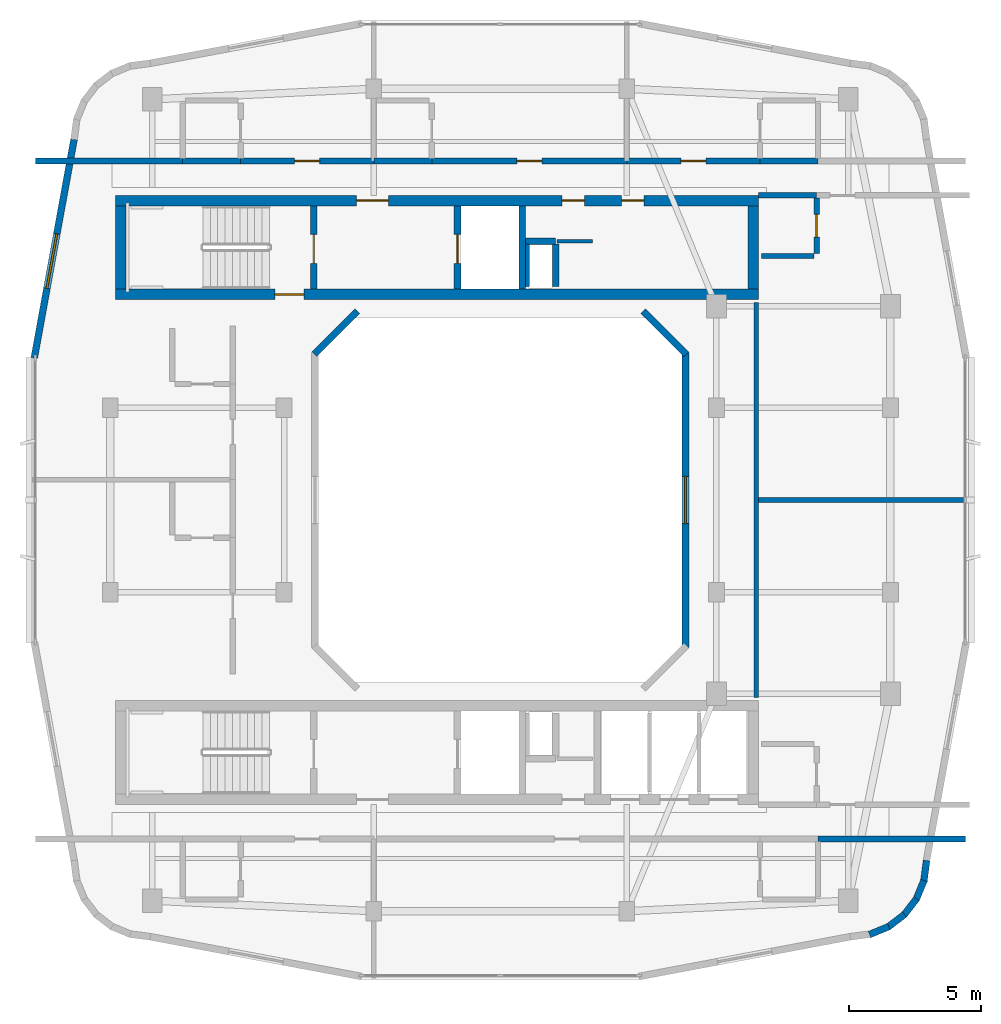
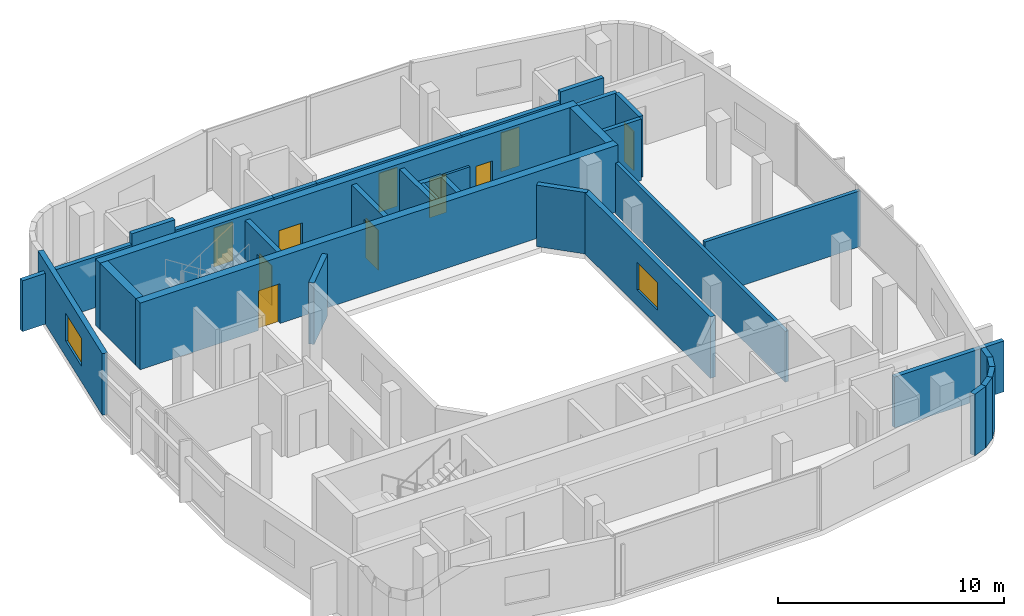
# One storey, part 6 of 10: 33 walls, 10 doors, 2 windows, 12 openings.
"""IFC4 building model written with IfcOpenShell, lengths in metres."""

import ifcopenshell
import ifcopenshell.guid

model = None  # the IFC model being written
_history = None  # IfcOwnerHistory: only IFC2X3 demands one
_inside = {}  # id of a spatial element -> (the spatial element, [elements in it])
_under = {}  # id of a project, library or spatial element -> (it, [spatial elements below it])
_declared = {}  # id of a project -> (the project, [libraries it declares])
_typed = {}  # id of a type object -> (the type object, [elements of that type])
_made_of = {}  # id of a material, layer set ... -> (it, [elements and type objects made of it])


def new_model(schema):
    """Start an empty IFC model of exactly this schema.

    Asked for "IFC4X3", IfcOpenShell would pick the latest addendum, in which some entities
    have other attributes; the version numbers below select the first issue.
    IFC2X3 requires an IfcOwnerHistory on every rooted entity: one is made here for all.
    """
    global model, _history
    if schema == "IFC4X3":
        model = ifcopenshell.file(schema_version=(4, 3, 0, 0))
    else:
        model = ifcopenshell.file(schema=schema)
    _inside.clear()
    _under.clear()
    _declared.clear()
    _typed.clear()
    _made_of.clear()
    _history = None
    if model.schema == "IFC2X3":
        org = make("IfcOrganization", Name="unknown")
        user = make(
            "IfcPersonAndOrganization",
            ThePerson=make("IfcPerson", FamilyName="unknown"),
            TheOrganization=org,
        )
        app = make(
            "IfcApplication",
            ApplicationDeveloper=org,
            Version="unknown",
            ApplicationFullName="unknown",
            ApplicationIdentifier="unknown",
        )
        _history = make(
            "IfcOwnerHistory",
            OwningUser=user,
            OwningApplication=app,
            ChangeAction="ADDED",
            CreationDate=0,
        )
    return model


def make(cls, **values):
    """One entity of the class cls with the attributes given. An attribute that is None is left unset."""
    return model.create_entity(
        cls, **{name: value for name, value in values.items() if value is not None}
    )


def rooted(cls, **values):
    """An entity with a GlobalId (a new one), such as an element, a storey or a relation."""
    return make(cls, GlobalId=ifcopenshell.guid.new(), OwnerHistory=_history, **values)


def si_unit(unit_type, name, prefix=None):
    """IfcSIUnit, for example si_unit("LENGTHUNIT", "METRE", prefix="MILLI")."""
    return make("IfcSIUnit", UnitType=unit_type, Prefix=prefix, Name=name)


def derived_unit(unit_type, elements):
    """IfcDerivedUnit: a product of units, each with its exponent."""
    return make(
        "IfcDerivedUnit",
        Elements=[
            make("IfcDerivedUnitElement", Unit=unit, Exponent=power)
            for unit, power in elements
        ],
        UnitType=unit_type,
    )


def assignment(units):
    """IfcUnitAssignment: the units of a project."""
    return None if units is None else make("IfcUnitAssignment", Units=units)


def point(xyz):
    """IfcCartesianPoint."""
    return None if xyz is None else make("IfcCartesianPoint", Coordinates=xyz)


def direction(xyz):
    """IfcDirection."""
    return None if xyz is None else make("IfcDirection", DirectionRatios=xyz)


def frame(location, z_axis=None, x_axis=None):
    """IfcAxis2Placement3D, a coordinate frame: its origin and axes. An axis left out is left unset."""
    return make(
        "IfcAxis2Placement3D",
        Location=point(location),
        Axis=direction(z_axis),
        RefDirection=direction(x_axis),
    )


def frame_2d(location, x_axis=None):
    """IfcAxis2Placement2D, a coordinate frame in the plane: its origin and x axis."""
    return make(
        "IfcAxis2Placement2D", Location=point(location), RefDirection=direction(x_axis)
    )


def origin():
    """The frame at (0, 0, 0) with its axes left unset."""
    return frame((0.0, 0.0, 0.0))


def place(relative_to, where):
    """IfcLocalPlacement: puts the frame where relative to a parent placement (None: the world)."""
    return make(
        "IfcLocalPlacement", PlacementRelTo=relative_to, RelativePlacement=where
    )


def context(
    kind, dimensions, precision=None, world=None, true_north=None, identifier=None
):
    """IfcGeometricRepresentationContext, for example the 3D "Model" context."""
    return make(
        "IfcGeometricRepresentationContext",
        ContextIdentifier=identifier,
        ContextType=kind,
        CoordinateSpaceDimension=dimensions,
        Precision=precision,
        WorldCoordinateSystem=world,
        TrueNorth=true_north,
    )


def subcontext(parent, identifier, kind, view, scale=None):
    """IfcGeometricRepresentationSubContext, for example "Body" below "Model"."""
    return make(
        "IfcGeometricRepresentationSubContext",
        ContextIdentifier=identifier,
        ContextType=kind,
        ParentContext=parent,
        TargetScale=scale,
        TargetView=view,
    )


def project(units=None, contexts=None):
    """IfcProject with its units and contexts."""
    return rooted(
        "IfcProject",
        Name="project",
        RepresentationContexts=contexts,
        UnitsInContext=assignment(units),
    )


def spatial(cls, under=None, at=None, **own):
    """A site, building, storey or space (cls), placed at a placement, below another one or the project."""
    s = rooted(cls, ObjectPlacement=at, **own)
    if under is not None:
        _under.setdefault(under.id(), (under, []))[1].append(s)
    return s


def profile(cls, at=None, kind="AREA", **sizes):
    """A parametric profile (cls). Its sizes go by their IFC names, for example OverallWidth=200.0."""
    return make(cls, ProfileType=kind, Position=at, **sizes)


def rectangle(**sizes):
    """IfcRectangleProfileDef."""
    return profile("IfcRectangleProfileDef", **sizes)


def extrude(swept, where, along, depth):
    """IfcExtrudedAreaSolid: the profile swept, set in the frame where, extruded along a direction by depth."""
    return make(
        "IfcExtrudedAreaSolid",
        SweptArea=swept,
        Position=where,
        ExtrudedDirection=direction(along),
        Depth=depth,
    )


def shape(context_of_items, identifier, shape_type, items):
    """IfcShapeRepresentation: the items that make up one representation, for example the "Body"."""
    return make(
        "IfcShapeRepresentation",
        ContextOfItems=context_of_items,
        RepresentationIdentifier=identifier,
        RepresentationType=shape_type,
        Items=items,
    )


def material(Name=None, Category=None):
    """IfcMaterial."""
    return make("IfcMaterial", Name=Name, Category=Category)


def layer(
    of_material, thickness, ventilated=None, Name=None, Category=None, Priority=None
):
    """IfcMaterialLayer: one layer of a wall or slab, of a material (None: an air gap)."""
    return make(
        "IfcMaterialLayer",
        Material=of_material,
        LayerThickness=thickness,
        IsVentilated=ventilated,
        Name=Name,
        Category=Category,
        Priority=Priority,
    )


def layer_set(layers, Name=None):
    """IfcMaterialLayerSet."""
    return make("IfcMaterialLayerSet", MaterialLayers=layers, LayerSetName=Name)


def made_of(thing, what):
    """Note that an element or type object is made of a material, layer set ...; save() writes the relation."""
    if what is not None:
        _made_of.setdefault(what.id(), (what, []))[1].append(thing)
    return thing


def type_object(cls, material=None, **own):
    """A type object (cls), such as IfcWallType, which elements share."""
    return made_of(rooted(cls, **own), material)


def element(
    cls,
    number,
    at=None,
    inside=None,
    cuts=None,
    type_object=None,
    material=None,
    context=None,
    identifier="Body",
    shape_type=None,
    held_by="IfcProductDefinitionShape",
    body=None,
    shapes=None,
    **own,
):
    """One element of the class cls, such as IfcWall. Its Tag is "e" and its number.

    at: its placement. inside: the storey or other place that contains it. cuts: it is an
    opening in that element (IfcRelVoidsElement). A single representation is given by context,
    identifier, shape_type and body (its items); several are given by shapes. held_by: the class
    of the entity that holds the representations. save() writes the other relations.
    """
    e = rooted(cls, Tag="e%d" % number, ObjectPlacement=at, **own)
    if body is not None:
        shapes = [shape(context, identifier, shape_type, body)]
    if shapes is not None:
        e.Representation = make(held_by, Representations=shapes)
    if inside is not None:
        _inside.setdefault(inside.id(), (inside, []))[1].append(e)
    if cuts is not None:
        rooted(
            "IfcRelVoidsElement", RelatingBuildingElement=cuts, RelatedOpeningElement=e
        )
    if type_object is not None:
        _typed.setdefault(type_object.id(), (type_object, []))[1].append(e)
    return made_of(e, material)


def fill(opening, filler):
    """IfcRelFillsElement: the door or window that sits in an opening."""
    return rooted(
        "IfcRelFillsElement",
        RelatingOpeningElement=opening,
        RelatedBuildingElement=filler,
    )


def aggregate(whole, parts):
    """IfcRelAggregates: a whole, such as a stair, and the parts it consists of."""
    return rooted("IfcRelAggregates", RelatingObject=whole, RelatedObjects=parts)


def save(model, path):
    """Write the relations noted so far, then the file.

    IfcRelAggregates (storeys below a building ...), IfcRelContainedInSpatialStructure (elements
    in a storey), IfcRelDefinesByType, IfcRelAssociatesMaterial and IfcRelDeclares: one each for
    every whole, place, type object, material and project.
    """
    for whole, parts in _under.values():
        aggregate(whole, parts)
    for where, things in _inside.values():
        rooted(
            "IfcRelContainedInSpatialStructure",
            RelatedElements=things,
            RelatingStructure=where,
        )
    for kind, things in _typed.values():
        rooted("IfcRelDefinesByType", RelatedObjects=things, RelatingType=kind)
    for what, things in _made_of.values():
        rooted("IfcRelAssociatesMaterial", RelatedObjects=things, RelatingMaterial=what)
    for by, libraries in _declared.values():
        rooted("IfcRelDeclares", RelatingContext=by, RelatedDefinitions=libraries)
    model.write(path)


model = new_model("IFC4")

# Units and contexts
model_context = context("Model", 3, precision=1e-05, world=origin(), true_north=direction((0.0, 1.0)))
body_context = subcontext(model_context, "Body", "Model", "MODEL_VIEW")
ifc_project = project(units=[si_unit("LENGTHUNIT", "METRE"), si_unit("AREAUNIT", "SQUARE_METRE"), si_unit("VOLUMEUNIT", "CUBIC_METRE"), si_unit("PLANEANGLEUNIT", "RADIAN"), si_unit("MASSUNIT", "GRAM", prefix="KILO"), derived_unit("THERMALTRANSMITTANCEUNIT", [(si_unit("POWERUNIT", "WATT"), 1), (si_unit("LENGTHUNIT", "METRE"), -2), (si_unit("THERMODYNAMICTEMPERATUREUNIT", "KELVIN"), -1)])], contexts=[model_context])

# Site, building, storey
site_placement = place(None, origin())
site = spatial("IfcSite", under=ifc_project, at=site_placement, CompositionType="ELEMENT")
building_placement = place(site_placement, origin())
building = spatial("IfcBuilding", under=site, at=building_placement, Name="Kivonza Crest Hotel", CompositionType="ELEMENT")
storey_placement = place(building_placement, frame((0.0, 0.0, 250.39990234375)))
storey = spatial("IfcBuildingStorey", under=building, at=storey_placement, Name="L68", CompositionType="ELEMENT", Elevation=250.39990234375)

# Walls
ifc_material_1 = material(Name="High-density acoustic masonry inter-tenancy wall", Category="masonry")
ifc_layer_1 = layer(ifc_material_1, 0.179931640625)
ifc_layer_set_1 = layer_set([ifc_layer_1], Name="High-density acoustic masonry inter-tenancy wall")
wall_type_1 = type_object("IfcWallType", Name="WL-ACOU-180", PredefinedType="SOLIDWALL", material=ifc_layer_set_1)
wall_1_placement = place(storey_placement, frame((30.800048828125, 25.0, 0.0), z_axis=(0.0, 0.0, 1.0), x_axis=(1.0, 0.0, 0.0)))
element("IfcWall", 1, at=wall_1_placement, inside=storey, type_object=wall_type_1, Name="L68 interior partition WA-L68-T1EC-DIV", PredefinedType="SOLIDWALL", context=body_context, shape_type="SweptSolid", body=[
    extrude(rectangle(XDim=7.93994140625, YDim=0.179931640625, at=frame_2d((3.969970703125, 0.0))), origin(), (0.0, 0.0, 1.0), 3.01513671875),
])
wall_2_placement = place(storey_placement, frame((30.7099609375, 17.5, 0.0), z_axis=(0.0, 0.0, 1.0), x_axis=(0.0, 1.0, 0.0)))
element("IfcWall", 2, at=wall_2_placement, inside=storey, type_object=wall_type_1, Name="L68 interior partition WA-L68-T1EC-W", PredefinedType="SOLIDWALL", context=body_context, shape_type="SweptSolid", body=[
    extrude(rectangle(XDim=15.0, YDim=0.179931640625, at=frame_2d((7.5, 0.0))), origin(), (0.0, 0.0, 1.0), 2.7451171875),
])
ifc_material_2 = material(Name="Autoclaved aerated concrete blockwork", Category="masonry")
ifc_layer_2 = layer(ifc_material_2, 0.219970703125)
ifc_layer_set_2 = layer_set([ifc_layer_2], Name="Autoclaved aerated concrete blockwork")
wall_type_2 = type_object("IfcWallType", Name="WL-ACOU-220", PredefinedType="SOLIDWALL", material=ifc_layer_set_2)
wall_3_placement = place(storey_placement, frame((3.360107421875, 37.860107421875, 0.0), z_axis=(0.0, 0.0, 1.0), x_axis=(1.0, 0.0, 0.0)))
element("IfcWall", 3, at=wall_3_placement, inside=storey, type_object=wall_type_2, Name="L68 interior partition WA-L68-N01-XCORR", PredefinedType="SOLIDWALL", context=body_context, shape_type="SweptSolid", body=[
    extrude(rectangle(XDim=5.58984375, YDim=0.219970703125, at=frame_2d((2.794921875, 0.0))), origin(), (0.0, 0.0, 1.0), 2.7451171875),
])
wall_4_placement = place(storey_placement, frame((8.949951171875, 37.860107421875, 0.0), z_axis=(0.0, 0.0, 1.0), x_axis=(1.0, 0.0, 0.0)))
element("IfcWall", 4, at=wall_4_placement, inside=storey, type_object=wall_type_2, Name="L68 interior partition WA-L68-N01-BCORR", PredefinedType="SOLIDWALL", context=body_context, shape_type="SweptSolid", body=[
    extrude(rectangle(XDim=2.199951171875, YDim=0.219970703125, at=frame_2d((1.10009765625, 0.0))), origin(), (0.0, 0.0, 1.0), 3.320068359375),
])

# Wall, opening, door
wall_5_placement = place(storey_placement, frame((11.14990234375, 37.860107421875, 0.0), z_axis=(0.0, 0.0, 1.0), x_axis=(1.0, 0.0, 0.0)))
wall_5 = element("IfcWall", 5, at=wall_5_placement, inside=storey, type_object=wall_type_2, Name="L68 interior partition WA-L68-N01-MCORR", PredefinedType="SOLIDWALL", context=body_context, shape_type="SweptSolid", body=[
    extrude(rectangle(XDim=5.050048828125, YDim=0.219970703125, at=frame_2d((2.52490234375, 0.0))), origin(), (0.0, 0.0, 1.0), 2.7451171875),
])
opening_1_placement = place(wall_5_placement, frame((2.050048828125, 0.0, 0.0)))
opening_1 = element("IfcOpeningElement", 6, at=opening_1_placement, cuts=wall_5, Name="Opening DU-60", PredefinedType="OPENING", context=body_context, shape_type="SweptSolid", body=[
    extrude(rectangle(XDim=0.949951171875, YDim=2.10009765625, at=frame_2d((0.47509765625, 1.050048828125))), frame((0.0, 0.1201171875, 0.0), z_axis=(0.0, -1.0, 0.0), x_axis=(1.0, 0.0, 0.0)), (0.0, 0.0, 1.0), 0.239990234375),
])
ifc_material_3 = material(Name="Hardwood timber oak", Category="wood")
door_type_1 = type_object("IfcDoorType", Name="DR-UNIT-950", OperationType="NOTDEFINED", PredefinedType="DOOR", material=ifc_material_3)
door_1_placement = place(opening_1_placement, origin())
door_1 = element("IfcDoor", 7, at=door_1_placement, inside=storey, type_object=door_type_1, Name="L68 N01 guest unit entrance fire door", OperationType="SINGLE_SWING_LEFT", OverallHeight=2.10009765625, OverallWidth=0.949951171875, PredefinedType="DOOR", context=body_context, shape_type="SweptSolid", body=[
    extrude(rectangle(XDim=0.949951171875, YDim=2.10009765625, at=frame_2d((0.47509765625, 1.050048828125))), frame((0.0, 0.02490234375, 0.0), z_axis=(0.0, -1.0, 0.0), x_axis=(1.0, 0.0, 0.0)), (0.0, 0.0, 1.0), 0.050048828125),
])
fill(opening_1, door_1)

# Wall
wall_6_placement = place(storey_placement, frame((16.199951171875, 37.860107421875, 0.0), z_axis=(0.0, 0.0, 1.0), x_axis=(1.0, 0.0, 0.0)))
element("IfcWall", 8, at=wall_6_placement, inside=storey, type_object=wall_type_2, Name="L68 interior partition WA-L68-N02-BCORR", PredefinedType="SOLIDWALL", context=body_context, shape_type="SweptSolid", body=[
    extrude(rectangle(XDim=2.199951171875, YDim=0.219970703125, at=frame_2d((1.10009765625, 0.0))), origin(), (0.0, 0.0, 1.0), 2.7451171875),
])

# Wall, opening, door
wall_7_placement = place(storey_placement, frame((18.39990234375, 37.860107421875, 0.0), z_axis=(0.0, 0.0, 1.0), x_axis=(1.0, 0.0, 0.0)))
wall_7 = element("IfcWall", 9, at=wall_7_placement, inside=storey, type_object=wall_type_2, Name="L68 interior partition WA-L68-N02-MCORR", PredefinedType="SOLIDWALL", context=body_context, shape_type="SweptSolid", body=[
    extrude(rectangle(XDim=7.400146484375, YDim=0.219970703125, at=frame_2d((3.7001953125, 0.0))), origin(), (0.0, 0.0, 1.0), 2.7451171875),
])
opening_2_placement = place(wall_7_placement, frame((3.22509765625, 0.0, 0.0)))
opening_2 = element("IfcOpeningElement", 10, at=opening_2_placement, cuts=wall_7, Name="Opening DU-60", PredefinedType="OPENING", context=body_context, shape_type="SweptSolid", body=[
    extrude(rectangle(XDim=0.949951171875, YDim=2.10009765625, at=frame_2d((0.47509765625, 1.050048828125))), frame((0.0, 0.1201171875, 0.0), z_axis=(0.0, -1.0, 0.0), x_axis=(1.0, 0.0, 0.0)), (0.0, 0.0, 1.0), 0.239990234375),
])
door_2_placement = place(opening_2_placement, origin())
door_2 = element("IfcDoor", 11, at=door_2_placement, inside=storey, type_object=door_type_1, Name="L68 N02 guest unit entrance fire door", OperationType="SINGLE_SWING_RIGHT", OverallHeight=2.10009765625, OverallWidth=0.949951171875, PredefinedType="DOOR", context=body_context, shape_type="SweptSolid", body=[
    extrude(rectangle(XDim=0.949951171875, YDim=2.10009765625, at=frame_2d((0.47509765625, 1.050048828125))), frame((0.0, 0.02490234375, 0.0), z_axis=(0.0, -1.0, 0.0), x_axis=(1.0, 0.0, 0.0)), (0.0, 0.0, 1.0), 0.050048828125),
])
fill(opening_2, door_2)

# Wall
wall_8_placement = place(storey_placement, frame((30.85009765625, 37.860107421875, 0.0), z_axis=(0.0, 0.0, 1.0), x_axis=(1.0, 0.0, 0.0)))
element("IfcWall", 12, at=wall_8_placement, inside=storey, type_object=wall_type_2, Name="L68 interior partition WA-L68-N03-BCORR", PredefinedType="SOLIDWALL", context=body_context, shape_type="SweptSolid", body=[
    extrude(rectangle(XDim=2.199951171875, YDim=0.219970703125, at=frame_2d((1.10009765625, 0.0))), origin(), (0.0, 0.0, 1.0), 3.320068359375),
])

# Wall, opening, door
wall_9_placement = place(storey_placement, frame((25.800048828125, 37.860107421875, 0.0), z_axis=(0.0, 0.0, 1.0), x_axis=(1.0, 0.0, 0.0)))
wall_9 = element("IfcWall", 13, at=wall_9_placement, inside=storey, type_object=wall_type_2, Name="L68 interior partition WA-L68-N03-MCORR", PredefinedType="SOLIDWALL", context=body_context, shape_type="SweptSolid", body=[
    extrude(rectangle(XDim=5.050048828125, YDim=0.219970703125, at=frame_2d((2.52490234375, 0.0))), origin(), (0.0, 0.0, 1.0), 2.7451171875),
])
opening_3_placement = place(wall_9_placement, frame((2.050048828125, 0.0, 0.0)))
opening_3 = element("IfcOpeningElement", 14, at=opening_3_placement, cuts=wall_9, Name="Opening DU-60", PredefinedType="OPENING", context=body_context, shape_type="SweptSolid", body=[
    extrude(rectangle(XDim=0.949951171875, YDim=2.10009765625, at=frame_2d((0.47509765625, 1.050048828125))), frame((0.0, 0.1201171875, 0.0), z_axis=(0.0, -1.0, 0.0), x_axis=(1.0, 0.0, 0.0)), (0.0, 0.0, 1.0), 0.239990234375),
])
door_3_placement = place(opening_3_placement, origin())
door_3 = element("IfcDoor", 15, at=door_3_placement, inside=storey, type_object=door_type_1, Name="L68 N03 guest unit entrance fire door", OperationType="SINGLE_SWING_LEFT", OverallHeight=2.10009765625, OverallWidth=0.949951171875, PredefinedType="DOOR", context=body_context, shape_type="SweptSolid", body=[
    extrude(rectangle(XDim=0.949951171875, YDim=2.10009765625, at=frame_2d((0.47509765625, 1.050048828125))), frame((0.0, 0.02490234375, 0.0), z_axis=(0.0, -1.0, 0.0), x_axis=(1.0, 0.0, 0.0)), (0.0, 0.0, 1.0), 0.050048828125),
])
fill(opening_3, door_3)

# Walls
wall_10_placement = place(storey_placement, frame((33.050048828125, 12.139892578125, 0.0), z_axis=(0.0, 0.0, 1.0), x_axis=(1.0, 0.0, 0.0)))
element("IfcWall", 16, at=wall_10_placement, inside=storey, type_object=wall_type_2, Name="L68 interior partition WA-L68-S05-XCORR", PredefinedType="SOLIDWALL", context=body_context, shape_type="SweptSolid", body=[
    extrude(rectangle(XDim=5.58984375, YDim=0.219970703125, at=frame_2d((2.794921875, 0.0))), origin(), (0.0, 0.0, 1.0), 2.7451171875),
])
wall_11_placement = place(storey_placement, frame((30.800048828125, 36.56005859375, 0.0), z_axis=(0.0, 0.0, 1.0), x_axis=(1.0, 0.0, 0.0)))
element("IfcWall", 17, at=wall_11_placement, inside=storey, type_object=wall_type_2, Name="L68 interior partition WA-L68-EN09-BCORR", PredefinedType="SOLIDWALL", context=body_context, shape_type="SweptSolid", body=[
    extrude(rectangle(XDim=2.199951171875, YDim=0.219970703125, at=frame_2d((1.10009765625, 0.0))), origin(), (0.0, 0.0, 1.0), 3.320068359375),
])

# Wall, opening, door
ifc_material_4 = material(Name="Concrete C50/60", Category="concrete")
ifc_layer_3 = layer(ifc_material_4, 0.39990234375)
ifc_layer_set_3 = layer_set([ifc_layer_3], Name="Concrete C50/60")
wall_type_3 = type_object("IfcWallType", Name="WL-CORE-400", PredefinedType="SHEAR", material=ifc_layer_set_3)
wall_12_placement = place(storey_placement, frame((6.39990234375, 32.800048828125, 0.0), z_axis=(0.0, 0.0, 1.0), x_axis=(1.0, 0.0, 0.0)))
wall_12 = element("IfcWall", 18, at=wall_12_placement, inside=storey, type_object=wall_type_3, Name="Core wall T1-N South L68", PredefinedType="SHEAR", context=body_context, shape_type="SweptSolid", body=[
    extrude(rectangle(XDim=24.400146484375, YDim=0.39990234375, at=frame_2d((12.2001953125, 0.0))), origin(), (0.0, 0.0, 1.0), 3.60009765625),
])
opening_4_placement = place(wall_12_placement, frame((6.050048828125, 0.0, 0.0)))
opening_4 = element("IfcOpeningElement", 19, at=opening_4_placement, cuts=wall_12, Name="Opening DF-120", PredefinedType="OPENING", context=body_context, shape_type="SweptSolid", body=[
    extrude(rectangle(XDim=1.10009765625, YDim=2.14990234375, at=frame_2d((0.550048828125, 1.074951171875))), frame((0.0, 0.2099609375, 0.0), z_axis=(0.0, -1.0, 0.0), x_axis=(1.0, 0.0, 0.0)), (0.0, 0.0, 1.0), 0.419921875),
])
ifc_material_5 = material(Name="Galvanised steel", Category="steel")
door_type_2 = type_object("IfcDoorType", Name="DR-FD120-1100", OperationType="NOTDEFINED", PredefinedType="DOOR", material=ifc_material_5)
door_4_placement = place(opening_4_placement, origin())
door_4 = element("IfcDoor", 20, at=door_4_placement, inside=storey, type_object=door_type_2, Name="L68 West corridor stair access fire door", OperationType="SINGLE_SWING_LEFT", OverallHeight=2.14990234375, OverallWidth=1.10009765625, PredefinedType="DOOR", context=body_context, shape_type="SweptSolid", body=[
    extrude(rectangle(XDim=1.10009765625, YDim=2.14990234375, at=frame_2d((0.550048828125, 1.074951171875))), frame((0.0, 0.02490234375, 0.0), z_axis=(0.0, -1.0, 0.0), x_axis=(1.0, 0.0, 0.0)), (0.0, 0.0, 1.0), 0.050048828125),
])
fill(opening_4, door_4)

# Wall, openings, doors
wall_13_placement = place(storey_placement, frame((6.39990234375, 36.360107421875, 0.0), z_axis=(0.0, 0.0, 1.0), x_axis=(1.0, 0.0, 0.0)))
wall_13 = element("IfcWall", 21, at=wall_13_placement, inside=storey, type_object=wall_type_3, Name="Core wall T1-N North L68", PredefinedType="SHEAR", context=body_context, shape_type="SweptSolid", body=[
    extrude(rectangle(XDim=24.400146484375, YDim=0.39990234375, at=frame_2d((12.2001953125, 0.0))), origin(), (0.0, 0.0, 1.0), 3.60009765625),
])
opening_5_placement = place(wall_13_placement, frame((9.14990234375, 0.0, 0.0)))
opening_5 = element("IfcOpeningElement", 22, at=opening_5_placement, cuts=wall_13, Name="Opening DF-60", PredefinedType="OPENING", context=body_context, shape_type="SweptSolid", body=[
    extrude(rectangle(XDim=1.199951171875, YDim=2.14990234375, at=frame_2d((0.60009765625, 1.074951171875))), frame((0.0, 0.2099609375, 0.0), z_axis=(0.0, -1.0, 0.0), x_axis=(1.0, 0.0, 0.0)), (0.0, 0.0, 1.0), 0.419921875),
])
opening_6_placement = place(wall_13_placement, frame((19.199951171875, 0.0, 0.0)))
opening_6 = element("IfcOpeningElement", 23, at=opening_6_placement, cuts=wall_13, Name="Opening DF-60R", PredefinedType="OPENING", context=body_context, shape_type="SweptSolid", body=[
    extrude(rectangle(XDim=0.85009765625, YDim=2.10009765625, at=frame_2d((0.425048828125, 1.050048828125))), frame((0.0, 0.2099609375, 0.0), z_axis=(0.0, -1.0, 0.0), x_axis=(1.0, 0.0, 0.0)), (0.0, 0.0, 1.0), 0.419921875),
])
opening_7_placement = place(wall_13_placement, frame((16.93994140625, 0.0, 0.0)))
opening_7 = element("IfcOpeningElement", 24, at=opening_7_placement, cuts=wall_13, Name="Opening DF-60R", PredefinedType="OPENING", context=body_context, shape_type="SweptSolid", body=[
    extrude(rectangle(XDim=0.85009765625, YDim=2.10009765625, at=frame_2d((0.425048828125, 1.050048828125))), frame((0.0, 0.2099609375, 0.0), z_axis=(0.0, -1.0, 0.0), x_axis=(1.0, 0.0, 0.0)), (0.0, 0.0, 1.0), 0.419921875),
])
door_type_3 = type_object("IfcDoorType", Name="DR-FD60-1200", OperationType="NOTDEFINED", PredefinedType="DOOR", material=ifc_material_3)
door_5_placement = place(opening_5_placement, origin())
door_5 = element("IfcDoor", 25, at=door_5_placement, inside=storey, type_object=door_type_3, Name="L68 T1-N firefighting lobby fire door", OperationType="SINGLE_SWING_RIGHT", OverallHeight=2.14990234375, OverallWidth=1.199951171875, PredefinedType="DOOR", context=body_context, shape_type="SweptSolid", body=[
    extrude(rectangle(XDim=1.199951171875, YDim=2.14990234375, at=frame_2d((0.60009765625, 1.074951171875))), frame((0.0, 0.02490234375, 0.0), z_axis=(0.0, -1.0, 0.0), x_axis=(1.0, 0.0, 0.0)), (0.0, 0.0, 1.0), 0.050048828125),
])
fill(opening_5, door_5)
door_type_4 = type_object("IfcDoorType", Name="DR-FD60-850", OperationType="NOTDEFINED", PredefinedType="DOOR", material=ifc_material_3)
door_6_placement = place(opening_6_placement, origin())
door_6 = element("IfcDoor", 26, at=door_6_placement, inside=storey, type_object=door_type_4, Name="L68 T1-N reclaimed core service door", OperationType="SINGLE_SWING_LEFT", OverallHeight=2.10009765625, OverallWidth=0.85009765625, PredefinedType="DOOR", context=body_context, shape_type="SweptSolid", body=[
    extrude(rectangle(XDim=0.85009765625, YDim=2.10009765625, at=frame_2d((0.425048828125, 1.050048828125))), frame((0.0, 0.02490234375, 0.0), z_axis=(0.0, -1.0, 0.0), x_axis=(1.0, 0.0, 0.0)), (0.0, 0.0, 1.0), 0.050048828125),
])
fill(opening_6, door_6)
door_7_placement = place(opening_7_placement, origin())
door_7 = element("IfcDoor", 27, at=door_7_placement, inside=storey, type_object=door_type_4, Name="L68 T1-N core room door", OperationType="SINGLE_SWING_RIGHT", OverallHeight=2.10009765625, OverallWidth=0.85009765625, PredefinedType="DOOR", context=body_context, shape_type="SweptSolid", body=[
    extrude(rectangle(XDim=0.85009765625, YDim=2.10009765625, at=frame_2d((0.425048828125, 1.050048828125))), frame((0.0, 0.02490234375, 0.0), z_axis=(0.0, -1.0, 0.0), x_axis=(1.0, 0.0, 0.0)), (0.0, 0.0, 1.0), 0.050048828125),
])
fill(opening_7, door_7)

# Walls
for number, where, z_axis, x_axis, name in (
    (28, (6.60009765625, 33.0, 0.0), (0.0, 0.0, 1.0), (0.0, 1.0, 0.0), "Core wall T1-N West L68"),
    (29, (30.60009765625, 33.0, 0.0), (0.0, 0.0, 1.0), (0.0, 1.0, 0.0), "Core wall T1-N East L68"),
):
    element("IfcWall", number, at=place(storey_placement, frame(where, z_axis=z_axis, x_axis=x_axis)), inside=storey, type_object=wall_type_3, Name=name, PredefinedType="SHEAR", context=body_context, shape_type="SweptSolid", body=[
        extrude(rectangle(XDim=3.159912109375, YDim=0.39990234375, at=frame_2d((1.580078125, 0.0))), origin(), (0.0, 0.0, 1.0), 3.60009765625),
    ])
ifc_material_6 = material(Name="Precast concrete C40/50", Category="concrete")
ifc_layer_4 = layer(ifc_material_6, 0.260009765625)
ifc_layer_set_4 = layer_set([ifc_layer_4], Name="Precast concrete C40/50")
wall_type_4 = type_object("IfcWallType", Name="WL-EXT-260", PredefinedType="STANDARD", material=ifc_layer_set_4)
wall_14_placement = place(storey_placement, frame((35.0029296875, 8.511962890625, 0.0), z_axis=(0.0, 0.0, 1.0), x_axis=(0.923681457047, 0.383161279238, 0.0)))
element("IfcWall", 30, at=wall_14_placement, inside=storey, type_object=wall_type_4, Name="L68 T1 exterior insulated wall 11", PredefinedType="STANDARD", context=body_context, shape_type="SweptSolid", body=[
    extrude(rectangle(XDim=0.799072265625, YDim=0.260009765625, at=frame_2d((0.3994140625, 0.0))), origin(), (0.0, 0.0, 1.0), 3.320068359375),
])
for number, where, z_axis, x_axis, name in (
    (31, (35.700927734375, 8.7900390625, 0.0), (0.0, 0.0, 1.0), (0.793305889705, 0.608823262828, 0.0), "L68 T1 exterior insulated wall 12"),
    (32, (36.302978515625, 9.238037109375, 0.0), (0.0, 0.0, 1.0), (0.609015748398, 0.793158129381, 0.0), "L68 T1 exterior insulated wall 13"),
):
    element("IfcWall", number, at=place(storey_placement, frame(where, z_axis=z_axis, x_axis=x_axis)), inside=storey, type_object=wall_type_4, Name=name, PredefinedType="STANDARD", context=body_context, shape_type="SweptSolid", body=[
        extrude(rectangle(XDim=0.798095703125, YDim=0.260009765625, at=frame_2d((0.39892578125, 0.0))), origin(), (0.0, 0.0, 1.0), 3.320068359375),
    ])
wall_15_placement = place(storey_placement, frame((36.76806640625, 9.826904296875, 0.0), z_axis=(0.0, 0.0, 1.0), x_axis=(0.382900540965, 0.923789573295, 0.0)))
element("IfcWall", 33, at=wall_15_placement, inside=storey, type_object=wall_type_4, Name="L68 T1 exterior insulated wall 14", PredefinedType="STANDARD", context=body_context, shape_type="SweptSolid", body=[
    extrude(rectangle(XDim=0.798828125, YDim=0.260009765625, at=frame_2d((0.3994140625, 0.0))), origin(), (0.0, 0.0, 1.0), 3.320068359375),
])
wall_16_placement = place(storey_placement, frame((37.06591796875, 10.51611328125, 0.0), z_axis=(0.0, 0.0, 1.0), x_axis=(0.130183552987, 0.991489910454, 0.0)))
element("IfcWall", 34, at=wall_16_placement, inside=storey, type_object=wall_type_4, Name="L68 T1 exterior insulated wall 15", PredefinedType="STANDARD", context=body_context, shape_type="SweptSolid", body=[
    extrude(rectangle(XDim=0.815673828125, YDim=0.260009765625, at=frame_2d((0.40771484375, 0.0))), origin(), (0.0, 0.0, 1.0), 3.320068359375),
])

# Wall, opening, window
wall_17_placement = place(storey_placement, frame((4.8291015625, 38.68505859375, 0.0), z_axis=(0.0, 0.0, 1.0), x_axis=(-0.179061111398, -0.983837953316, 0.0)))
wall_17 = element("IfcWall", 35, at=wall_17_placement, inside=storey, type_object=wall_type_4, Name="L68 T1 exterior insulated wall 34", PredefinedType="STANDARD", context=body_context, shape_type="SweptSolid", body=[
    extrude(rectangle(XDim=8.4384765625, YDim=0.260009765625, at=frame_2d((4.21923828125, 0.0))), origin(), (0.0, 0.0, 1.0), 3.320068359375),
])
opening_8_placement = place(wall_17_placement, frame((3.64794921875, 0.0, 0.85009765625)))
opening_8 = element("IfcOpeningElement", 36, at=opening_8_placement, cuts=wall_17, Name="Opening WN-04", PredefinedType="OPENING", context=body_context, shape_type="SweptSolid", body=[
    extrude(rectangle(XDim=2.10009765625, YDim=1.5, at=frame_2d((1.050048828125, 0.75))), frame((0.0, 0.14013671875, 0.0), z_axis=(0.0, -1.0, 0.0), x_axis=(1.0, 0.0, 0.0)), (0.0, 0.0, 1.0), 0.280029296875),
])
ifc_material_7 = material(Name="Thermally broken bronze aluminium and low-E double glazing", Category="aluminium")
window_type_1 = type_object("IfcWindowType", Name="WN-210x150", PartitioningType="DOUBLE_PANEL_VERTICAL", PredefinedType="WINDOW", material=ifc_material_7)
window_1_placement = place(opening_8_placement, origin())
window_1 = element("IfcWindow", 37, at=window_1_placement, inside=storey, type_object=window_type_1, Name="L68 T1 facade window 34", OverallHeight=1.5, OverallWidth=2.10009765625, PartitioningType="SINGLE_PANEL", PredefinedType="WINDOW", context=body_context, shape_type="SweptSolid", body=[
    extrude(rectangle(XDim=2.10009765625, YDim=1.5, at=frame_2d((1.050048828125, 0.75))), frame((0.0, 0.030029296875, 0.0), z_axis=(0.0, -1.0, 0.0), x_axis=(1.0, 0.0, 0.0)), (0.0, 0.0, 1.0), 0.06005859375),
])
fill(opening_8, window_1)

wall_18_placement = place(storey_placement, frame((28.030029296875, 19.409912109375, 0.0), z_axis=(0.0, 0.0, 1.0), x_axis=(0.0, 1.0, 0.0)))
wall_18 = element("IfcWall", 38, at=wall_18_placement, inside=storey, type_object=wall_type_4, Name="L68 T1 light-well exterior wall 3", PredefinedType="STANDARD", context=body_context, shape_type="SweptSolid", body=[
    extrude(rectangle(XDim=11.18017578125, YDim=0.260009765625, at=frame_2d((5.590087890625, 0.0))), origin(), (0.0, 0.0, 1.0), 3.320068359375),
])
opening_9_placement = place(wall_18_placement, frame((4.68994140625, 0.0, 0.85009765625)))
opening_9 = element("IfcOpeningElement", 39, at=opening_9_placement, cuts=wall_18, Name="Opening WN-03", PredefinedType="OPENING", context=body_context, shape_type="SweptSolid", body=[
    extrude(rectangle(XDim=1.800048828125, YDim=1.5, at=frame_2d((0.89990234375, 0.75))), frame((0.0, 0.14013671875, 0.0), z_axis=(0.0, -1.0, 0.0), x_axis=(1.0, 0.0, 0.0)), (0.0, 0.0, 1.0), 0.280029296875),
])
window_type_2 = type_object("IfcWindowType", Name="WN-180x150", PartitioningType="DOUBLE_PANEL_VERTICAL", PredefinedType="WINDOW", material=ifc_material_7)
window_2_placement = place(opening_9_placement, origin())
window_2 = element("IfcWindow", 40, at=window_2_placement, inside=storey, type_object=window_type_2, Name="L68 T1 light-well window 3", OverallHeight=1.5, OverallWidth=1.800048828125, PartitioningType="SINGLE_PANEL", PredefinedType="WINDOW", context=body_context, shape_type="SweptSolid", body=[
    extrude(rectangle(XDim=1.800048828125, YDim=1.5, at=frame_2d((0.89990234375, 0.75))), frame((0.0, 0.030029296875, 0.0), z_axis=(0.0, -1.0, 0.0), x_axis=(1.0, 0.0, 0.0)), (0.0, 0.0, 1.0), 0.06005859375),
])
fill(opening_9, window_2)

# Walls
for number, where, z_axis, x_axis, name in (
    (41, (28.055908203125, 30.528076171875, 0.0), (0.0, 0.0, 1.0), (-0.707053950914, 0.707159607512, 0.0), "L68 T1 light-well exterior wall 4"),
    (42, (15.577880859375, 32.162109375, 0.0), (0.0, 0.0, 1.0), (-0.707053950914, -0.707159607512, 0.0), "L68 T1 light-well exterior wall 6"),
):
    element("IfcWall", number, at=place(storey_placement, frame(where, z_axis=z_axis, x_axis=x_axis)), inside=storey, type_object=wall_type_4, Name=name, PredefinedType="STANDARD", context=body_context, shape_type="SweptSolid", body=[
        extrude(rectangle(XDim=2.310791015625, YDim=0.260009765625, at=frame_2d((1.1552734375, 0.0))), origin(), (0.0, 0.0, 1.0), 3.320068359375),
    ])
ifc_material_8 = material(Name="Concrete blockwork fire-compartment wall", Category="masonry")
ifc_layer_5 = layer(ifc_material_8, 0.25)
ifc_layer_set_5 = layer_set([ifc_layer_5], Name="Concrete blockwork fire-compartment wall")
wall_type_5 = type_object("IfcWallType", Name="WL-FIRE-250", PredefinedType="SOLIDWALL", material=ifc_layer_set_5)
wall_19_placement = place(storey_placement, frame((23.10009765625, 33.10009765625, 0.0), z_axis=(0.0, 0.0, 1.0), x_axis=(0.0, 1.0, 0.0)))
element("IfcWall", 43, at=wall_19_placement, inside=storey, type_object=wall_type_5, Name="L68 interior partition WA-L68-T1-N-MEPR-E", PredefinedType="SOLIDWALL", context=body_context, shape_type="SweptSolid", body=[
    extrude(rectangle(XDim=1.619873046875, YDim=0.25, at=frame_2d((0.81005859375, 0.0))), origin(), (0.0, 0.0, 1.0), 3.320068359375),
])
wall_20_placement = place(storey_placement, frame((21.949951171875, 34.820068359375, 0.0), z_axis=(0.0, 0.0, 1.0), x_axis=(1.0, 0.0, 0.0)))
element("IfcWall", 44, at=wall_20_placement, inside=storey, type_object=wall_type_5, Name="L68 interior partition WA-L68-T1-N-MEPR-H", PredefinedType="SOLIDWALL", context=body_context, shape_type="SweptSolid", body=[
    extrude(rectangle(XDim=1.150146484375, YDim=0.25, at=frame_2d((0.5751953125, 0.0))), origin(), (0.0, 0.0, 1.0), 3.320068359375),
])
ifc_material_9 = material(Name="Metal-stud gypsum board partition", Category="gypsum")
ifc_layer_6 = layer(ifc_material_9, 0.125)
ifc_layer_set_6 = layer_set([ifc_layer_6], Name="Metal-stud gypsum board partition")
wall_type_6 = type_object("IfcWallType", Name="WL-PART-125", PredefinedType="PARTITIONING", material=ifc_layer_set_6)
wall_21_placement = place(storey_placement, frame((23.14990234375, 34.820068359375, 0.0), z_axis=(0.0, 0.0, 1.0), x_axis=(1.0, 0.0, 0.0)))
element("IfcWall", 45, at=wall_21_placement, inside=storey, type_object=wall_type_6, Name="L68 interior partition WP-L68-T1-N-SV2H", PredefinedType="PARTITIONING", context=body_context, shape_type="SweptSolid", body=[
    extrude(rectangle(XDim=1.35009765625, YDim=0.125, at=frame_2d((0.675048828125, 0.0))), origin(), (0.0, 0.0, 1.0), 3.320068359375),
])
ifc_material_10 = material(Name="Twin-stud acoustic gypsum board partition", Category="gypsum")
ifc_layer_7 = layer(ifc_material_10, 0.14990234375)
ifc_layer_set_7 = layer_set([ifc_layer_7], Name="Twin-stud acoustic gypsum board partition")
wall_type_7 = type_object("IfcWallType", Name="WL-PART-150", PredefinedType="PARTITIONING", material=ifc_layer_set_7)
wall_22_placement = place(storey_placement, frame((22.030029296875, 33.10009765625, 0.0), z_axis=(0.0, 0.0, 1.0), x_axis=(0.0, 1.0, 0.0)))
element("IfcWall", 46, at=wall_22_placement, inside=storey, type_object=wall_type_7, Name="L68 interior partition WA-L68-T1-N-MEPR-W", PredefinedType="PARTITIONING", context=body_context, shape_type="SweptSolid", body=[
    extrude(rectangle(XDim=1.619873046875, YDim=0.14990234375, at=frame_2d((0.81005859375, 0.0))), origin(), (0.0, 0.0, 1.0), 3.320068359375),
])

# Wall, opening, door
ifc_material_11 = material(Name="Moisture-resistant plumbing chase partition wall", Category="gypsum")
ifc_layer_8 = layer(ifc_material_11, 0.199951171875)
ifc_layer_set_8 = layer_set([ifc_layer_8], Name="Moisture-resistant plumbing chase partition wall")
wall_type_8 = type_object("IfcWallType", Name="WL-PLUMB-200", PredefinedType="PLUMBINGWALL", material=ifc_layer_set_8)
wall_23_placement = place(storey_placement, frame((33.0, 34.360107421875, 0.0), z_axis=(0.0, 0.0, 1.0), x_axis=(0.0, 1.0, 0.0)))
wall_23 = element("IfcWall", 47, at=wall_23_placement, inside=storey, type_object=wall_type_8, Name="L68 interior partition WW-L68-EN09-BV", PredefinedType="PLUMBINGWALL", context=body_context, shape_type="SweptSolid", body=[
    extrude(rectangle(XDim=2.099853515625, YDim=0.199951171875, at=frame_2d((1.0498046875, 0.0))), origin(), (0.0, 0.0, 1.0), 3.320068359375),
])
opening_10_placement = place(wall_23_placement, frame((0.625, 0.0, 0.0)))
opening_10 = element("IfcOpeningElement", 48, at=opening_10_placement, cuts=wall_23, Name="Opening DI-85", PredefinedType="OPENING", context=body_context, shape_type="SweptSolid", body=[
    extrude(rectangle(XDim=0.85009765625, YDim=2.10009765625, at=frame_2d((0.425048828125, 1.050048828125))), frame((0.0, 0.10986328125, 0.0), z_axis=(0.0, -1.0, 0.0), x_axis=(1.0, 0.0, 0.0)), (0.0, 0.0, 1.0), 0.219970703125),
])
door_type_5 = type_object("IfcDoorType", Name="DR-INT-850", OperationType="NOTDEFINED", PredefinedType="DOOR", material=ifc_material_3)
door_8_placement = place(opening_10_placement, frame((0.85009765625, 0.0, 0.0), z_axis=(0.0, 0.0, 1.0), x_axis=(-1.0, 0.0, 0.0)))
door_8 = element("IfcDoor", 49, at=door_8_placement, inside=storey, type_object=door_type_5, Name="L68 EN09 en-suite bathroom door", OperationType="SINGLE_SWING_RIGHT", OverallHeight=2.10009765625, OverallWidth=0.85009765625, PredefinedType="DOOR", context=body_context, shape_type="SweptSolid", body=[
    extrude(rectangle(XDim=0.85009765625, YDim=2.10009765625, at=frame_2d((0.425048828125, 1.050048828125))), frame((0.0, 0.02490234375, 0.0), z_axis=(0.0, -1.0, 0.0), x_axis=(1.0, 0.0, 0.0)), (0.0, 0.0, 1.0), 0.050048828125),
])
fill(opening_10, door_8)

# Wall
wall_24_placement = place(storey_placement, frame((30.89990234375, 34.260009765625, 0.0), z_axis=(0.0, 0.0, 1.0), x_axis=(1.0, 0.0, 0.0)))
element("IfcWall", 50, at=wall_24_placement, inside=storey, type_object=wall_type_8, Name="L68 interior partition WW-L68-EN09-BH", PredefinedType="PLUMBINGWALL", context=body_context, shape_type="SweptSolid", body=[
    extrude(rectangle(XDim=2.0, YDim=0.199951171875, at=frame_2d((1.0, 0.0))), origin(), (0.0, 0.0, 1.0), 3.320068359375),
])

# Wall, opening, door
ifc_layer_9 = layer(ifc_material_4, 0.25)
ifc_layer_set_9 = layer_set([ifc_layer_9], Name="Concrete C50/60")
wall_type_9 = type_object("IfcWallType", Name="WL-SHAFT-250", PredefinedType="STANDARD", material=ifc_layer_set_9)
wall_25_placement = place(storey_placement, frame((13.925048828125, 33.0, 0.0), z_axis=(0.0, 0.0, 1.0), x_axis=(0.0, 1.0, 0.0)))
wall_25 = element("IfcWall", 51, at=wall_25_placement, inside=storey, type_object=wall_type_9, Name="Core shaft wall T1-N STAIR L68", PredefinedType="STANDARD", context=body_context, shape_type="SweptSolid", body=[
    extrude(rectangle(XDim=3.159912109375, YDim=0.25, at=frame_2d((1.580078125, 0.0))), origin(), (0.0, 0.0, 1.0), 3.320068359375),
])
opening_11_placement = place(wall_25_placement, frame((0.97998046875, 0.0, 0.0)))
opening_11 = element("IfcOpeningElement", 52, at=opening_11_placement, cuts=wall_25, Name="Opening DF-120", PredefinedType="OPENING", context=body_context, shape_type="SweptSolid", body=[
    extrude(rectangle(XDim=1.10009765625, YDim=2.14990234375, at=frame_2d((0.550048828125, 1.074951171875))), frame((0.0, 0.135009765625, 0.0), z_axis=(0.0, -1.0, 0.0), x_axis=(1.0, 0.0, 0.0)), (0.0, 0.0, 1.0), 0.27001953125),
])
door_9_placement = place(opening_11_placement, frame((1.10009765625, 0.0, 0.0), z_axis=(0.0, 0.0, 1.0), x_axis=(-1.0, 0.0, 0.0)))
door_9 = element("IfcDoor", 53, at=door_9_placement, inside=storey, type_object=door_type_2, Name="L68 T1-N stair fire door", OperationType="SINGLE_SWING_LEFT", OverallHeight=2.14990234375, OverallWidth=1.10009765625, PredefinedType="DOOR", context=body_context, shape_type="SweptSolid", body=[
    extrude(rectangle(XDim=1.10009765625, YDim=2.14990234375, at=frame_2d((0.550048828125, 1.074951171875))), frame((0.0, 0.02490234375, 0.0), z_axis=(0.0, -1.0, 0.0), x_axis=(1.0, 0.0, 0.0)), (0.0, 0.0, 1.0), 0.050048828125),
])
fill(opening_11, door_9)

wall_26_placement = place(storey_placement, frame((19.375, 33.0, 0.0), z_axis=(0.0, 0.0, 1.0), x_axis=(0.0, 1.0, 0.0)))
wall_26 = element("IfcWall", 54, at=wall_26_placement, inside=storey, type_object=wall_type_9, Name="Core shaft wall T1-N FFL-W L68", PredefinedType="STANDARD", context=body_context, shape_type="SweptSolid", body=[
    extrude(rectangle(XDim=3.159912109375, YDim=0.25, at=frame_2d((1.580078125, 0.0))), origin(), (0.0, 0.0, 1.0), 3.320068359375),
])
opening_12_placement = place(wall_26_placement, frame((0.97998046875, 0.0, 0.0)))
opening_12 = element("IfcOpeningElement", 55, at=opening_12_placement, cuts=wall_26, Name="Opening LD-120", PredefinedType="OPENING", context=body_context, shape_type="SweptSolid", body=[
    extrude(rectangle(XDim=1.10009765625, YDim=2.14990234375, at=frame_2d((0.550048828125, 1.074951171875))), frame((0.0, 0.135009765625, 0.0), z_axis=(0.0, -1.0, 0.0), x_axis=(1.0, 0.0, 0.0)), (0.0, 0.0, 1.0), 0.27001953125),
])
ifc_material_12 = material(Name="Stainless steel", Category="steel")
door_type_6 = type_object("IfcDoorType", Name="DR-LD120-1100", OperationType="NOTDEFINED", PredefinedType="DOOR", material=ifc_material_12)
door_10_placement = place(opening_12_placement, origin())
door_10 = element("IfcDoor", 56, at=door_10_placement, inside=storey, type_object=door_type_6, Name="L68 FFL-T1-N firefighting lift sliding landing door", OperationType="DOUBLE_DOOR_SLIDING", OverallHeight=2.14990234375, OverallWidth=1.10009765625, PredefinedType="DOOR", context=body_context, shape_type="SweptSolid", body=[
    extrude(rectangle(XDim=1.10009765625, YDim=2.14990234375, at=frame_2d((0.550048828125, 1.074951171875))), frame((0.0, 0.02490234375, 0.0), z_axis=(0.0, -1.0, 0.0), x_axis=(1.0, 0.0, 0.0)), (0.0, 0.0, 1.0), 0.050048828125),
])
fill(opening_12, door_10)

# Wall
wall_27_placement = place(storey_placement, frame((21.824951171875, 33.0, 0.0), z_axis=(0.0, 0.0, 1.0), x_axis=(0.0, 1.0, 0.0)))
element("IfcWall", 57, at=wall_27_placement, inside=storey, type_object=wall_type_9, Name="Core shaft wall T1-N FFL-E L68", PredefinedType="STANDARD", context=body_context, shape_type="SweptSolid", body=[
    extrude(rectangle(XDim=3.159912109375, YDim=0.25, at=frame_2d((1.580078125, 0.0))), origin(), (0.0, 0.0, 1.0), 3.320068359375),
])

save(model, "model.ifc")
